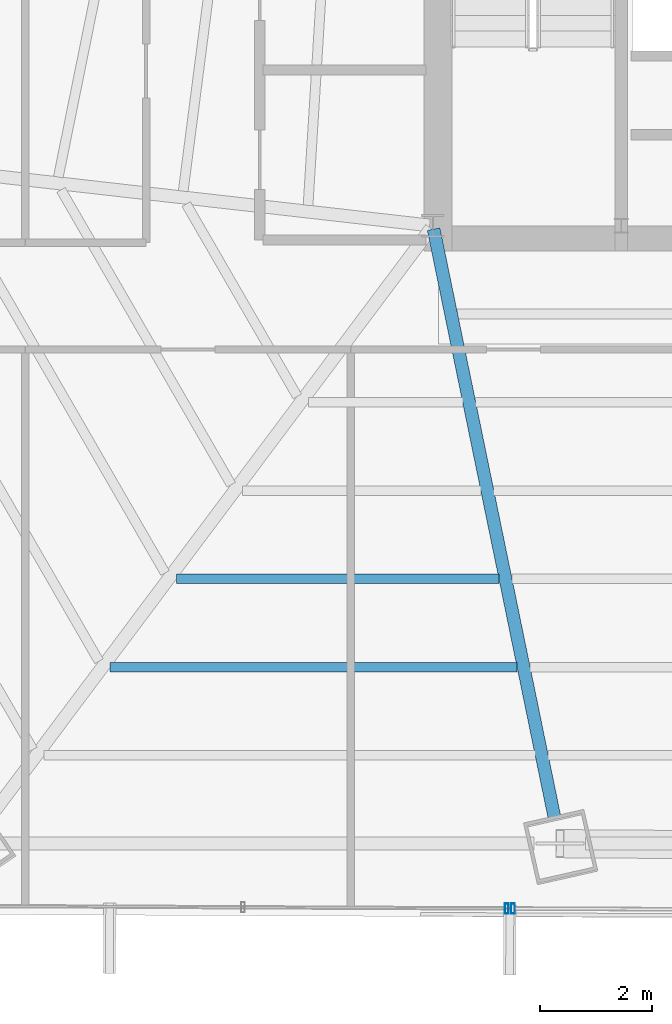
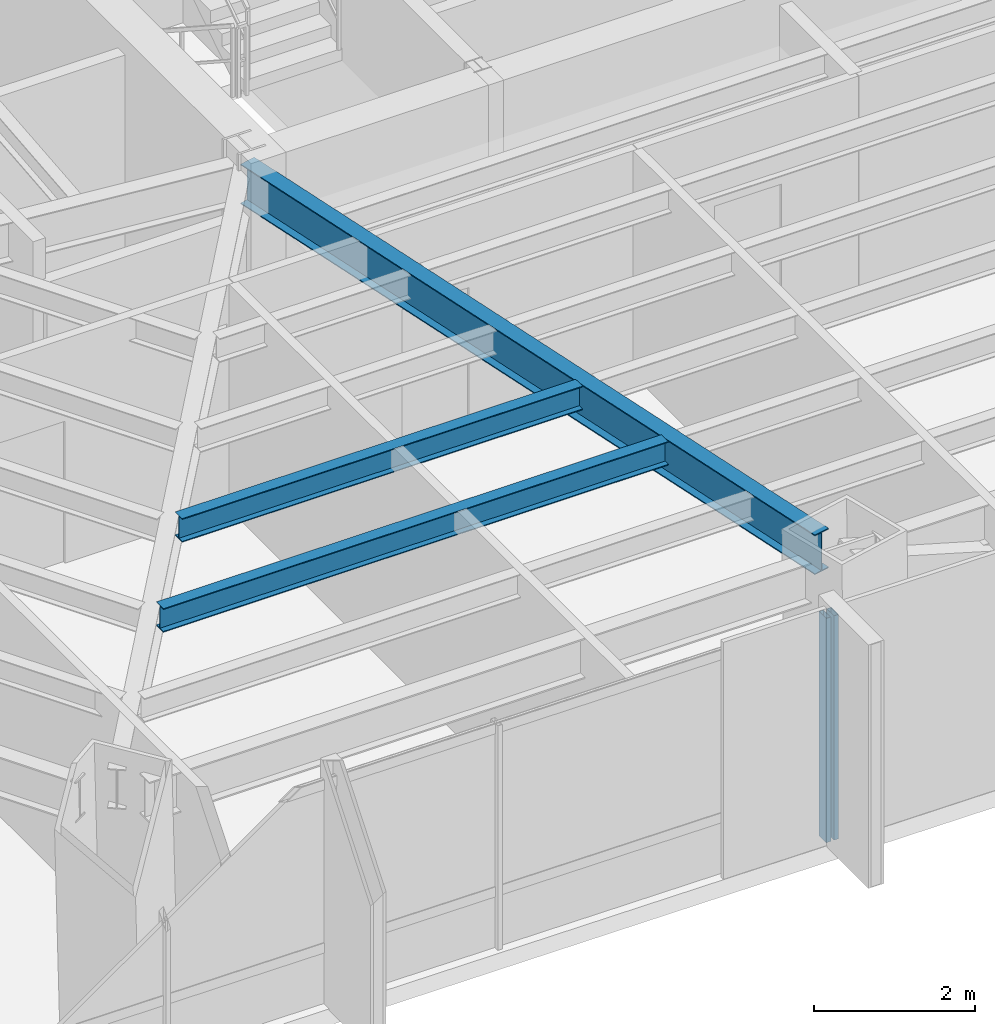
# One storey, part 8 of 37: 3 beams, 2 members, 2 elements without a shape of their own.
"""IFC4 building model written with IfcOpenShell, lengths in metres."""

from ifc_helpers import new_model, si_unit, direction, frame, origin, origin_2d, place, context, subcontext, project, spatial, hollow_rectangle, i_section, extrude, source, transform, mapped, material, material_profile, profile_set, type_object, type_shapes, element, aggregate, save


model = new_model("IFC4")

# Units and contexts
model_context = context("Model", 3, precision=1e-05, world=origin(), true_north=direction((0.0, 1.0)))
body_context = subcontext(model_context, "Body", "Model", "MODEL_VIEW")
ifc_project = project(units=[si_unit("LENGTHUNIT", "METRE"), si_unit("AREAUNIT", "SQUARE_METRE"), si_unit("VOLUMEUNIT", "CUBIC_METRE"), si_unit("PLANEANGLEUNIT", "RADIAN"), si_unit("MASSUNIT", "GRAM", prefix="KILO")], contexts=[model_context])

# Site, building, storey
site_placement = place(None, origin())
site = spatial("IfcSite", under=ifc_project, at=site_placement, CompositionType="ELEMENT")
building_placement = place(site_placement, origin())
building = spatial("IfcBuilding", under=site, at=building_placement, Name="Caelisora Broadcast Tower", CompositionType="ELEMENT")
storey_placement = place(building_placement, frame((0.0, 0.0, 105.39990234375)))
storey = spatial("IfcBuildingStorey", under=building, at=storey_placement, Name="L27", CompositionType="ELEMENT", Elevation=105.39990234375)

# Beams
ifc_material_1 = material(Name="Steel Grade 350 (AS/NZS 3679.1)", Category="steel")
ifc_material_profile_1 = material_profile(ifc_material_1, i_section(OverallWidth=0.22802734375, OverallDepth=0.602294921875, WebThickness=0.010498046875, FlangeThickness=0.014892578125, at=origin_2d()), Name="Steel Grade 350 (AS/NZS 3679.1)")
ifc_profile_set_1 = profile_set([ifc_material_profile_1], Name="Steel Grade 350 (AS/NZS 3679.1)")
beam_type_1 = type_object("IfcBeamType", Name="PG04", PredefinedType="BEAM", material=ifc_profile_set_1)
shared_shape_1 = source(origin(), body_context, "Body", "SweptSolid", [
    extrude(i_section(OverallWidth=0.22802734375, OverallDepth=0.602294921875, WebThickness=0.010498046875, FlangeThickness=0.014892578125, at=origin_2d()), origin(), (0.0, 0.0, 1.0), 10.736083984375),
])
type_shapes(beam_type_1, [shared_shape_1])
beam_1_placement = place(storey_placement, frame((30.51220703125, 17.34130859375, 3.098876953125), z_axis=(0.201203760343, -0.979549410098, 0.0), x_axis=(0.979549410098, 0.201203760343, 0.0)))
element("IfcBeam", 1, at=beam_1_placement, inside=storey, type_object=beam_type_1, Name="L27 beam PG04", PredefinedType="BEAM", context=body_context, shape_type="MappedRepresentation", body=[
    mapped(shared_shape_1, transform((0.0, 0.0, 0.0), scale=1.0)),
])
ifc_material_profile_2 = material_profile(ifc_material_1, i_section(OverallWidth=0.172119140625, OverallDepth=0.358642578125, WebThickness=0.008056640625, FlangeThickness=0.012939453125, at=origin_2d()), Name="Steel Grade 350 (AS/NZS 3679.1)")
ifc_profile_set_2 = profile_set([ifc_material_profile_2], Name="Steel Grade 350 (AS/NZS 3679.1)")
beam_type_2 = type_object("IfcBeamType", Name="SB02", PredefinedType="JOIST", material=ifc_profile_set_2)
shared_shape_2 = source(origin(), body_context, "Body", "SweptSolid", [
    extrude(i_section(OverallWidth=0.172119140625, OverallDepth=0.358642578125, WebThickness=0.008056640625, FlangeThickness=0.012939453125, at=origin_2d()), origin(), (0.0, 0.0, 1.0), 5.7392578125),
])
beam_2_placement = place(storey_placement, frame((25.93701171875, 11.121826171875, 3.220703125), z_axis=(1.0, 0.0, 0.0), x_axis=(0.0, 1.0, 0.0)))
element("IfcBeam", 2, at=beam_2_placement, inside=storey, type_object=beam_type_2, Name="L27 beam SB02", PredefinedType="JOIST", context=body_context, shape_type="MappedRepresentation", body=[
    mapped(shared_shape_2, transform((0.0, 0.0, 0.0), scale=1.0)),
])
shared_shape_3 = source(origin(), body_context, "Body", "SweptSolid", [
    extrude(i_section(OverallWidth=0.172119140625, OverallDepth=0.358642578125, WebThickness=0.008056640625, FlangeThickness=0.012939453125, at=origin_2d()), origin(), (0.0, 0.0, 1.0), 7.237548828125),
])
type_shapes(beam_type_2, [shared_shape_2, shared_shape_3])
beam_3_placement = place(storey_placement, frame((24.76123046875, 9.552490234375, 3.220703125), z_axis=(1.0, 0.0, 0.0), x_axis=(0.0, 1.0, 0.0)))
element("IfcBeam", 3, at=beam_3_placement, inside=storey, type_object=beam_type_2, Name="L27 beam SB02", PredefinedType="JOIST", context=body_context, shape_type="MappedRepresentation", body=[
    mapped(shared_shape_3, transform((0.0, 0.0, 0.0), scale=1.0)),
])

# Curtain wall, member
ifc_material_2 = material(Name="Unitised Aluminium Insulated Shadow-Box Spandrel Curtain Wall", Category="aluminium")
curtain_wall_type_1 = type_object("IfcCurtainWallType", Name="CW-SP1", PredefinedType="NOTDEFINED", material=ifc_material_2)
curtain_wall_1_placement = place(storey_placement, origin())
curtain_wall_1 = element("IfcCurtainWall", 4, at=curtain_wall_1_placement, inside=storey, type_object=curtain_wall_type_1, Name="L27 curtain wall CW-SP1", PredefinedType="NOTDEFINED")
ifc_material_3 = material(Name="Aluminium 6063-T6 Anodised Terracotta Bronze", Category="aluminium")
ifc_material_profile_3 = material_profile(ifc_material_3, hollow_rectangle(XDim=0.06494140625, YDim=0.179931640625, WallThickness=0.00341796875, at=origin_2d()), Name="Aluminium 6063-T6 Anodised Terracotta Bronze")
ifc_profile_set_3 = profile_set([ifc_material_profile_3], Name="Aluminium 6063-T6 Anodised Terracotta Bronze")
member_type = type_object("IfcMemberType", Name="CWM-02", PredefinedType="MULLION", material=ifc_profile_set_3)
shared_shape_4 = source(origin(), body_context, "Body", "SweptSolid", [
    extrude(hollow_rectangle(XDim=0.06494140625, YDim=0.179931640625, WallThickness=0.00341796875, at=origin_2d()), origin(), (0.0, 0.0, 1.0), 3.400146484375),
])
type_shapes(member_type, [shared_shape_4])
member_1_placement = place(storey_placement, frame((31.92333984375, 5.260498046875, 0.0), z_axis=(0.0, 0.0, 1.0), x_axis=(1.0, 0.0, 0.0)))
member_1 = element("IfcMember", 5, at=member_1_placement, type_object=member_type, Name="L27-CW-B06 mullion #3", PredefinedType="MULLION", context=body_context, shape_type="MappedRepresentation", body=[
    mapped(shared_shape_4, transform((0.0, 0.0, 0.0), scale=1.0)),
])
aggregate(curtain_wall_1, [member_1])

ifc_material_4 = material(Name="Unitised Aluminium and Low-E Glass Curtain Wall", Category="glass")
curtain_wall_type_2 = type_object("IfcCurtainWallType", Name="CW-Z2", PredefinedType="NOTDEFINED", material=ifc_material_4)
curtain_wall_2_placement = place(storey_placement, origin())
curtain_wall_2 = element("IfcCurtainWall", 6, at=curtain_wall_2_placement, inside=storey, type_object=curtain_wall_type_2, Name="L27 curtain wall CW-Z2", PredefinedType="NOTDEFINED")
member_2_placement = place(storey_placement, frame((31.813232421875, 5.260986328125, 0.0), z_axis=(0.0, 0.0, 1.0), x_axis=(1.0, 0.0, 0.0)))
member_2 = element("IfcMember", 7, at=member_2_placement, type_object=member_type, Name="L27-CW-B07 mullion #0", PredefinedType="MULLION", context=body_context, shape_type="MappedRepresentation", body=[
    mapped(shared_shape_4, transform((0.0, 0.0, 0.0), scale=1.0)),
])
aggregate(curtain_wall_2, [member_2])

save(model, "model.ifc")
